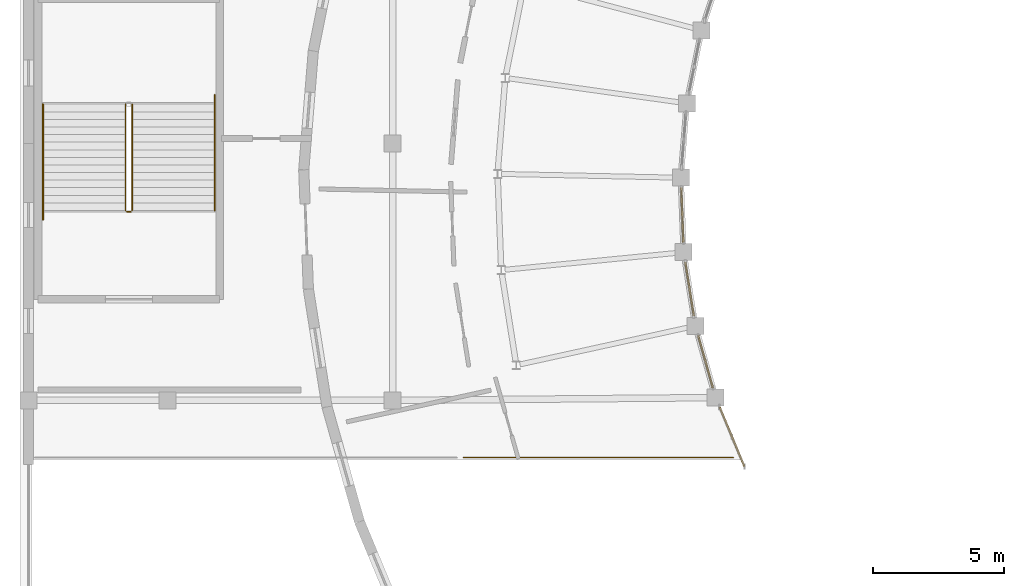
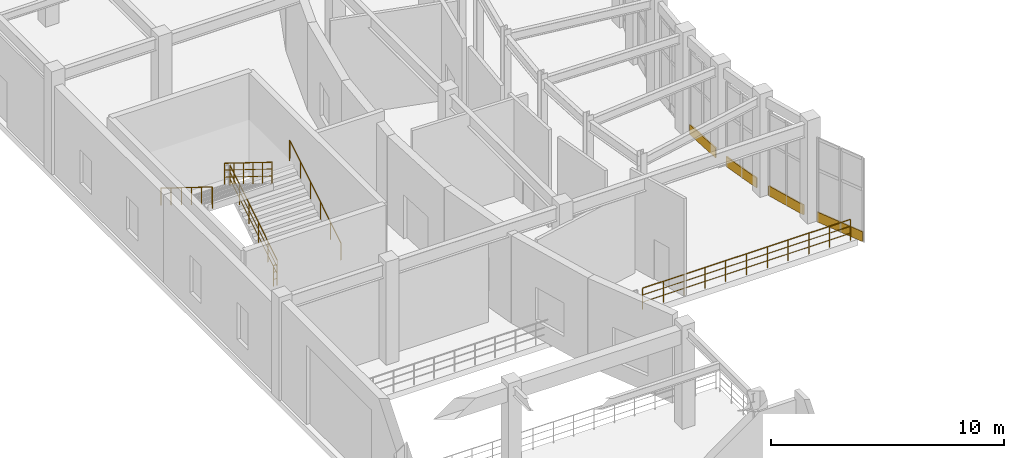
# One storey, part 84 of 93: 6 railings, 4 coverings.
"""IFC4 building model written with IfcOpenShell, lengths in metres."""

from ifc_helpers import new_model, si_unit, direction, frame, origin, origin_2d, place, context, subcontext, project, spatial, rectangle, circle, extrude, material, layer, layer_set, type_object, element, save


model = new_model("IFC4")

# Units and contexts
model_context = context("Model", 3, precision=1e-05, world=origin(), true_north=direction((0.0, 1.0)))
body_context = subcontext(model_context, "Body", "Model", "MODEL_VIEW")
ifc_project = project(units=[si_unit("LENGTHUNIT", "METRE"), si_unit("AREAUNIT", "SQUARE_METRE"), si_unit("VOLUMEUNIT", "CUBIC_METRE"), si_unit("PLANEANGLEUNIT", "RADIAN"), si_unit("MASSUNIT", "GRAM", prefix="KILO")], contexts=[model_context])

# Site, building, storey
site_placement = place(None, origin())
site = spatial("IfcSite", under=ifc_project, at=site_placement, CompositionType="ELEMENT")
building_placement = place(site_placement, origin())
building = spatial("IfcBuilding", under=site, at=building_placement, Name="Cinderbank Siding Concert Hall", CompositionType="ELEMENT")
storey_placement = place(building_placement, origin())
storey = spatial("IfcBuildingStorey", under=building, at=storey_placement, Name="L01", CompositionType="ELEMENT", Elevation=0.0)

# Coverings
ifc_material_1 = material(Name="Spotted gum glulam timber GL18 (42 MPa)", Category="wood")
ifc_layer = layer(ifc_material_1, 0.06494140625)
ifc_layer_set = layer_set([ifc_layer], Name="Spotted gum glulam timber GL18 (42 MPa)")
covering_type = type_object("IfcCoveringType", Name="CL-01 Spotted Gum Spandrel Band 520mm", PredefinedType="CLADDING", material=ifc_layer_set)
for number, where, z_axis, x_axis, name in (
    (1, (32.059814453125, 67.080322265625, 0.0), (0.0, 0.0, 1.0), (0.038360270672, -0.99926397395, 0.0), "CW-L01-104 Spotted Gum Spandrel Band"),
    (2, (32.337158203125, 64.252197265625, 0.0), (0.0, 0.0, 1.0), (0.156464041899, -0.987683655627, 0.0), "CW-L01-105 Spotted Gum Spandrel Band"),
):
    element("IfcCovering", number, at=place(storey_placement, frame(where, z_axis=z_axis, x_axis=x_axis)), inside=storey, type_object=covering_type, Name=name, PredefinedType="CLADDING", context=body_context, shape_type="SweptSolid", body=[
        extrude(rectangle(XDim=2.066650390625, YDim=0.06494140625, at=origin_2d()), origin(), (0.0, 0.0, 1.0), 0.52001953125),
    ])
covering_1_placement = place(storey_placement, frame((32.947509765625, 61.476806640625, 0.0), z_axis=(0.0, 0.0, 1.0), x_axis=(0.272275215509, -0.962219417295, 0.0)))
element("IfcCovering", 3, at=covering_1_placement, inside=storey, type_object=covering_type, Name="CW-L01-106 Spotted Gum Spandrel Band", PredefinedType="CLADDING", context=body_context, shape_type="SweptSolid", body=[
    extrude(rectangle(XDim=2.06689453125, YDim=0.06494140625, at=origin_2d()), origin(), (0.0, 0.0, 1.0), 0.52001953125),
])
covering_2_placement = place(storey_placement, frame((33.956787109375, 58.613037109375, 0.0), z_axis=(0.0, 0.0, 1.0), x_axis=(0.384273632219, -0.923219245673, 0.0)))
element("IfcCovering", 4, at=covering_2_placement, inside=storey, type_object=covering_type, Name="CW-L01-107 Spotted Gum Spandrel Band", PredefinedType="CLADDING", context=body_context, shape_type="SweptSolid", body=[
    extrude(rectangle(XDim=2.456787109375, YDim=0.06494140625, at=origin_2d()), origin(), (0.0, 0.0, 1.0), 0.52001953125),
])

# Railings
ifc_material_2 = material(Name="Structural steel AS/NZS 3679.1 Grade 350 (340 MPa)", Category="steel")
railing_type_1 = type_object("IfcRailingType", Name="GD-01 Terrace & Perimeter Guardrail 1120mm", PredefinedType="GUARDRAIL", material=ifc_material_2)
railing_1_placement = place(storey_placement, frame((34.00537109375, 57.820068359375, 0.0)))
element("IfcRailing", 5, at=railing_1_placement, inside=storey, type_object=railing_type_1, Name="L01 Perimeter Guardrail #19", PredefinedType="GUARDRAIL", context=body_context, shape_type="SweptSolid", body=[
    extrude(circle(Radius=0.02392578125, at=origin_2d()), frame((0.0, 0.0, 1.09619140625), z_axis=(-1.0, 0.0, 0.0), x_axis=(0.0, -1.0, 0.0)), (0.0, 0.0, 1.0), 10.29541015625),
    extrude(circle(Radius=0.01611328125, at=origin_2d()), frame((0.0, 0.0, 0.36962890625), z_axis=(-1.0, 0.0, 0.0), x_axis=(0.0, -1.0, 0.0)), (0.0, 0.0, 1.0), 10.29541015625),
    extrude(circle(Radius=0.01611328125, at=origin_2d()), frame((0.0, 0.0, 0.7392578125), z_axis=(-1.0, 0.0, 0.0), x_axis=(0.0, -1.0, 0.0)), (0.0, 0.0, 1.0), 10.29541015625),
    extrude(circle(Radius=0.02099609375, at=origin_2d()), origin(), (0.0, 0.0, 1.0), 1.072021484375),
    extrude(circle(Radius=0.02099609375, at=origin_2d()), frame((-1.029541015625, 0.0, 0.0)), (0.0, 0.0, 1.0), 1.072021484375),
    extrude(circle(Radius=0.02099609375, at=origin_2d()), frame((-2.05908203125, 0.0, 0.0)), (0.0, 0.0, 1.0), 1.072021484375),
    extrude(circle(Radius=0.02099609375, at=origin_2d()), frame((-3.088623046875, 0.0, 0.0)), (0.0, 0.0, 1.0), 1.072021484375),
    extrude(circle(Radius=0.02099609375, at=origin_2d()), frame((-4.1181640625, 0.0, 0.0)), (0.0, 0.0, 1.0), 1.072021484375),
    extrude(circle(Radius=0.02099609375, at=origin_2d()), frame((-5.147705078125, 0.0, 0.0)), (0.0, 0.0, 1.0), 1.072021484375),
    extrude(circle(Radius=0.02099609375, at=origin_2d()), frame((-6.17724609375, 0.0, 0.0)), (0.0, 0.0, 1.0), 1.072021484375),
    extrude(circle(Radius=0.02099609375, at=origin_2d()), frame((-7.206787109375, 0.0, 0.0)), (0.0, 0.0, 1.0), 1.072021484375),
    extrude(circle(Radius=0.02099609375, at=origin_2d()), frame((-8.236328125, 0.0, 0.0)), (0.0, 0.0, 1.0), 1.072021484375),
    extrude(circle(Radius=0.02099609375, at=origin_2d()), frame((-9.265869140625, 0.0, 0.0)), (0.0, 0.0, 1.0), 1.072021484375),
    extrude(circle(Radius=0.02099609375, at=origin_2d()), frame((-10.29541015625, 0.0, 0.0)), (0.0, 0.0, 1.0), 1.072021484375),
])
railing_type_2 = type_object("IfcRailingType", Name="STG-01 Stair Well Guardrail 1120mm", PredefinedType="GUARDRAIL", material=ifc_material_2)
railing_2_placement = place(storey_placement, frame((11.06005859375, 67.25, 0.179931640625)))
element("IfcRailing", 6, at=railing_2_placement, inside=storey, type_object=railing_type_2, Name="L01 ST-09 stair guard 1", PredefinedType="GUARDRAIL", context=body_context, shape_type="SweptSolid", body=[
    extrude(circle(Radius=0.02392578125, at=origin_2d()), frame((0.0, 0.0, 1.09619140625), z_axis=(0.0, 0.849641744969, 0.527360318194), x_axis=(-1.0, 0.0, 0.0)), (0.0, 0.0, 1.0), 4.778564453125),
    extrude(circle(Radius=0.01611328125, at=origin_2d()), frame((0.0, 0.0, 0.36962890625), z_axis=(0.0, 0.849641744969, 0.527360318194), x_axis=(-1.0, 0.0, 0.0)), (0.0, 0.0, 1.0), 4.778564453125),
    extrude(circle(Radius=0.01611328125, at=origin_2d()), frame((0.0, 0.0, 0.7392578125), z_axis=(0.0, 0.849641744969, 0.527360318194), x_axis=(-1.0, 0.0, 0.0)), (0.0, 0.0, 1.0), 4.778564453125),
    extrude(circle(Radius=0.02099609375, at=origin_2d()), origin(), (0.0, 0.0, 1.0), 1.072021484375),
    extrude(circle(Radius=0.02099609375, at=origin_2d()), frame((0.0, 0.81201171875, 0.50390625)), (0.0, 0.0, 1.0), 1.072021484375),
    extrude(circle(Radius=0.02099609375, at=origin_2d()), frame((0.0, 1.6240234375, 1.008056640625)), (0.0, 0.0, 1.0), 1.072021484375),
    extrude(circle(Radius=0.02099609375, at=origin_2d()), frame((0.0, 2.43603515625, 1.511962890625)), (0.0, 0.0, 1.0), 1.072021484375),
    extrude(circle(Radius=0.02099609375, at=origin_2d()), frame((0.0, 3.248046875, 2.01611328125)), (0.0, 0.0, 1.0), 1.072021484375),
    extrude(circle(Radius=0.02099609375, at=origin_2d()), frame((0.0, 4.06005859375, 2.52001953125)), (0.0, 0.0, 1.0), 1.072021484375),
])
railing_3_placement = place(storey_placement, frame((10.800048828125, 71.31005859375, 2.8798828125)))
element("IfcRailing", 7, at=railing_3_placement, inside=storey, type_object=railing_type_2, Name="L01 ST-09 stair guard 3", PredefinedType="GUARDRAIL", context=body_context, shape_type="SweptSolid", body=[
    extrude(circle(Radius=0.02392578125, at=origin_2d()), frame((0.0, 0.0, 1.09619140625), z_axis=(0.0, -0.849641744969, 0.527360318194), x_axis=(1.0, 0.0, 0.0)), (0.0, 0.0, 1.0), 4.778564453125),
    extrude(circle(Radius=0.01611328125, at=origin_2d()), frame((0.0, 0.0, 0.36962890625), z_axis=(0.0, -0.849641744969, 0.527360318194), x_axis=(1.0, 0.0, 0.0)), (0.0, 0.0, 1.0), 4.778564453125),
    extrude(circle(Radius=0.01611328125, at=origin_2d()), frame((0.0, 0.0, 0.7392578125), z_axis=(0.0, -0.849641744969, 0.527360318194), x_axis=(1.0, 0.0, 0.0)), (0.0, 0.0, 1.0), 4.778564453125),
    extrude(circle(Radius=0.02099609375, at=origin_2d()), origin(), (0.0, 0.0, 1.0), 1.072021484375),
    extrude(circle(Radius=0.02099609375, at=origin_2d()), frame((0.0, -0.81201171875, 0.50390625)), (0.0, 0.0, 1.0), 1.072021484375),
    extrude(circle(Radius=0.02099609375, at=origin_2d()), frame((0.0, -1.6240234375, 1.008056640625)), (0.0, 0.0, 1.0), 1.072021484375),
    extrude(circle(Radius=0.02099609375, at=origin_2d()), frame((0.0, -2.43603515625, 1.511962890625)), (0.0, 0.0, 1.0), 1.072021484375),
    extrude(circle(Radius=0.02099609375, at=origin_2d()), frame((0.0, -3.248046875, 2.01611328125)), (0.0, 0.0, 1.0), 1.072021484375),
    extrude(circle(Radius=0.02099609375, at=origin_2d()), frame((0.0, -4.06005859375, 2.52001953125)), (0.0, 0.0, 1.0), 1.072021484375),
])
railing_4_placement = place(storey_placement, frame((11.010009765625, 67.199951171875, 0.0)))
element("IfcRailing", 8, at=railing_4_placement, inside=storey, type_object=railing_type_2, Name="L01 ST-09 stair guard 4", PredefinedType="GUARDRAIL", context=body_context, shape_type="SweptSolid", body=[
    extrude(circle(Radius=0.02392578125, at=origin_2d()), frame((0.0, 0.0, 1.09619140625), z_axis=(-1.0, 0.0, 0.0), x_axis=(0.0, -1.0, 0.0)), (0.0, 0.0, 1.0), 0.159912109375),
    extrude(circle(Radius=0.01611328125, at=origin_2d()), frame((0.0, 0.0, 0.36962890625), z_axis=(-1.0, 0.0, 0.0), x_axis=(0.0, -1.0, 0.0)), (0.0, 0.0, 1.0), 0.159912109375),
    extrude(circle(Radius=0.01611328125, at=origin_2d()), frame((0.0, 0.0, 0.7392578125), z_axis=(-1.0, 0.0, 0.0), x_axis=(0.0, -1.0, 0.0)), (0.0, 0.0, 1.0), 0.159912109375),
    extrude(circle(Radius=0.02099609375, at=origin_2d()), origin(), (0.0, 0.0, 1.0), 1.072021484375),
    extrude(circle(Radius=0.02099609375, at=origin_2d()), frame((-0.159912109375, 0.0, 0.0)), (0.0, 0.0, 1.0), 1.072021484375),
])
railing_type_3 = type_object("IfcRailingType", Name="STH-01 Stair Pitch Handrail 920mm", PredefinedType="HANDRAIL", material=ifc_material_2)
railing_5_placement = place(storey_placement, frame((14.2099609375, 67.25, 0.179931640625)))
element("IfcRailing", 9, at=railing_5_placement, inside=storey, type_object=railing_type_3, Name="L01 ST-09 stair handrail 1", PredefinedType="HANDRAIL", context=body_context, shape_type="SweptSolid", body=[
    extrude(circle(Radius=0.02392578125, at=origin_2d()), frame((0.0, 0.0, 0.89599609375), z_axis=(0.0, 0.849649743971, 0.527347430608), x_axis=(-1.0, 0.0, 0.0)), (0.0, 0.0, 1.0), 5.119873046875),
    extrude(circle(Radius=0.02392578125, at=origin_2d()), frame((0.0, 4.35009765625, 3.595703125), z_axis=(0.0, 1.0, 0.0), x_axis=(-1.0, 0.0, 0.0)), (0.0, 0.0, 1.0), 0.059814453125),
    extrude(circle(Radius=0.02099609375, at=origin_2d()), origin(), (0.0, 0.0, 1.0), 0.871826171875),
    extrude(circle(Radius=0.02099609375, at=origin_2d()), frame((0.0, 0.8701171875, 0.5400390625)), (0.0, 0.0, 1.0), 0.871826171875),
    extrude(circle(Radius=0.02099609375, at=origin_2d()), frame((0.0, 1.739990234375, 1.080078125)), (0.0, 0.0, 1.0), 0.871826171875),
    extrude(circle(Radius=0.02099609375, at=origin_2d()), frame((0.0, 2.610107421875, 1.619873046875)), (0.0, 0.0, 1.0), 0.871826171875),
    extrude(circle(Radius=0.02099609375, at=origin_2d()), frame((0.0, 3.47998046875, 2.159912109375)), (0.0, 0.0, 1.0), 0.871826171875),
    extrude(circle(Radius=0.02099609375, at=origin_2d()), frame((0.0, 4.35009765625, 2.699951171875)), (0.0, 0.0, 1.0), 0.871826171875),
    extrude(circle(Radius=0.02099609375, at=origin_2d()), frame((0.0, 4.409912109375, 2.52001953125)), (0.0, 0.0, 1.0), 1.0517578125),
])
railing_6_placement = place(storey_placement, frame((7.64990234375, 71.31005859375, 2.8798828125)))
element("IfcRailing", 10, at=railing_6_placement, inside=storey, type_object=railing_type_3, Name="L01 ST-09 stair handrail 2", PredefinedType="HANDRAIL", context=body_context, shape_type="SweptSolid", body=[
    extrude(circle(Radius=0.02392578125, at=origin_2d()), frame((0.0, 0.0, 0.89599609375), z_axis=(0.0, -0.849628378081, 0.527381853271), x_axis=(1.0, 0.0, 0.0)), (0.0, 0.0, 1.0), 5.1201171875),
    extrude(circle(Radius=0.02392578125, at=origin_2d()), frame((0.0, -4.35009765625, 3.59619140625), z_axis=(0.0, -1.0, 0.0), x_axis=(1.0, 0.0, 0.0)), (0.0, 0.0, 1.0), 0.06005859375),
    extrude(circle(Radius=0.02099609375, at=origin_2d()), origin(), (0.0, 0.0, 1.0), 0.871826171875),
    extrude(circle(Radius=0.02099609375, at=origin_2d()), frame((0.0, -0.8701171875, 0.5400390625)), (0.0, 0.0, 1.0), 0.871826171875),
    extrude(circle(Radius=0.02099609375, at=origin_2d()), frame((0.0, -1.739990234375, 1.080078125)), (0.0, 0.0, 1.0), 0.871826171875),
    extrude(circle(Radius=0.02099609375, at=origin_2d()), frame((0.0, -2.610107421875, 1.6201171875)), (0.0, 0.0, 1.0), 0.871826171875),
    extrude(circle(Radius=0.02099609375, at=origin_2d()), frame((0.0, -3.47998046875, 2.16015625)), (0.0, 0.0, 1.0), 0.871826171875),
    extrude(circle(Radius=0.02099609375, at=origin_2d()), frame((0.0, -4.35009765625, 2.7001953125)), (0.0, 0.0, 1.0), 0.871826171875),
    extrude(circle(Radius=0.02099609375, at=origin_2d()), frame((0.0, -4.41015625, 2.520263671875)), (0.0, 0.0, 1.0), 1.0517578125),
])

save(model, "model.ifc")
